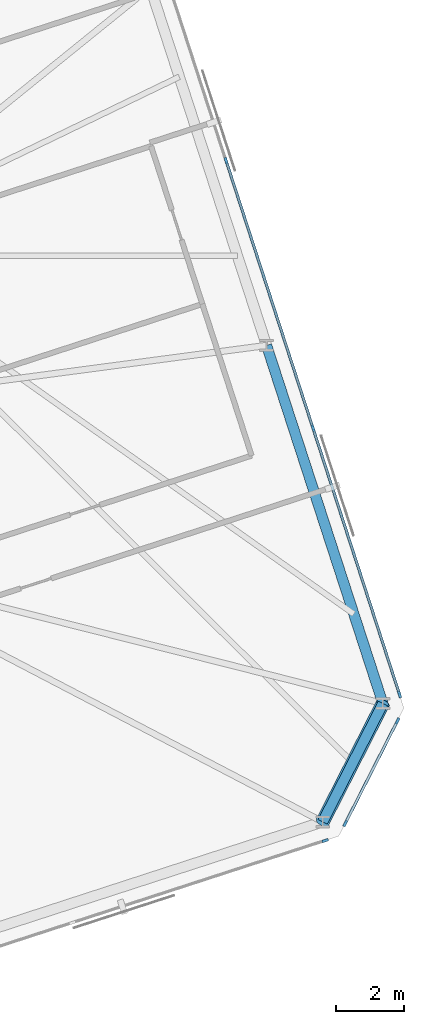
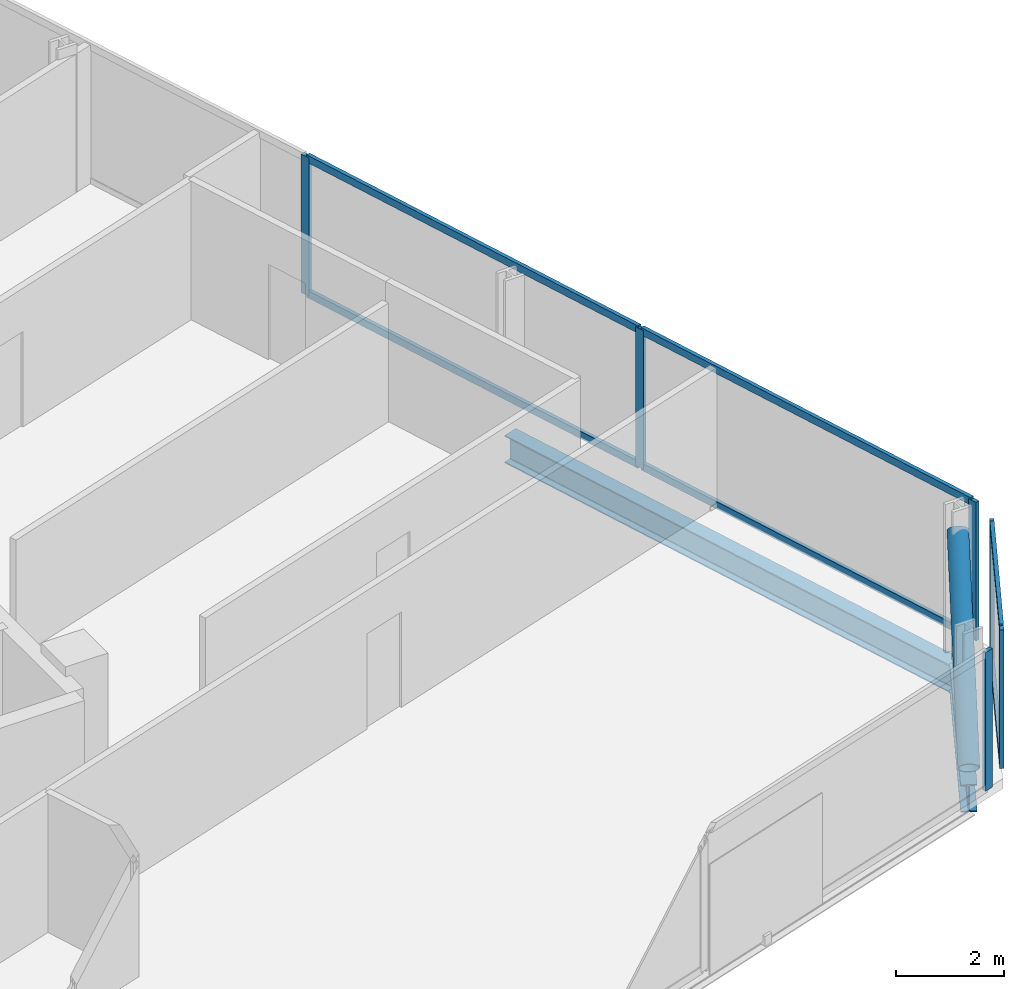
# One storey, part 11 of 20: 13 members, 2 beams, 3 elements without a shape of their own.
"""IFC4 building model written with IfcOpenShell, lengths in metres."""

import ifcopenshell
import ifcopenshell.guid

model = None  # the IFC model being written
_history = None  # IfcOwnerHistory: only IFC2X3 demands one
_inside = {}  # id of a spatial element -> (the spatial element, [elements in it])
_under = {}  # id of a project, library or spatial element -> (it, [spatial elements below it])
_declared = {}  # id of a project -> (the project, [libraries it declares])
_typed = {}  # id of a type object -> (the type object, [elements of that type])
_made_of = {}  # id of a material, layer set ... -> (it, [elements and type objects made of it])


def new_model(schema):
    """Start an empty IFC model of exactly this schema.

    Asked for "IFC4X3", IfcOpenShell would pick the latest addendum, in which some entities
    have other attributes; the version numbers below select the first issue.
    IFC2X3 requires an IfcOwnerHistory on every rooted entity: one is made here for all.
    """
    global model, _history
    if schema == "IFC4X3":
        model = ifcopenshell.file(schema_version=(4, 3, 0, 0))
    else:
        model = ifcopenshell.file(schema=schema)
    _inside.clear()
    _under.clear()
    _declared.clear()
    _typed.clear()
    _made_of.clear()
    _history = None
    if model.schema == "IFC2X3":
        org = make("IfcOrganization", Name="unknown")
        user = make(
            "IfcPersonAndOrganization",
            ThePerson=make("IfcPerson", FamilyName="unknown"),
            TheOrganization=org,
        )
        app = make(
            "IfcApplication",
            ApplicationDeveloper=org,
            Version="unknown",
            ApplicationFullName="unknown",
            ApplicationIdentifier="unknown",
        )
        _history = make(
            "IfcOwnerHistory",
            OwningUser=user,
            OwningApplication=app,
            ChangeAction="ADDED",
            CreationDate=0,
        )
    return model


def make(cls, **values):
    """One entity of the class cls with the attributes given. An attribute that is None is left unset."""
    return model.create_entity(
        cls, **{name: value for name, value in values.items() if value is not None}
    )


def rooted(cls, **values):
    """An entity with a GlobalId (a new one), such as an element, a storey or a relation."""
    return make(cls, GlobalId=ifcopenshell.guid.new(), OwnerHistory=_history, **values)


def si_unit(unit_type, name, prefix=None):
    """IfcSIUnit, for example si_unit("LENGTHUNIT", "METRE", prefix="MILLI")."""
    return make("IfcSIUnit", UnitType=unit_type, Prefix=prefix, Name=name)


def assignment(units):
    """IfcUnitAssignment: the units of a project."""
    return None if units is None else make("IfcUnitAssignment", Units=units)


def point(xyz):
    """IfcCartesianPoint."""
    return None if xyz is None else make("IfcCartesianPoint", Coordinates=xyz)


def direction(xyz):
    """IfcDirection."""
    return None if xyz is None else make("IfcDirection", DirectionRatios=xyz)


def frame(location, z_axis=None, x_axis=None):
    """IfcAxis2Placement3D, a coordinate frame: its origin and axes. An axis left out is left unset."""
    return make(
        "IfcAxis2Placement3D",
        Location=point(location),
        Axis=direction(z_axis),
        RefDirection=direction(x_axis),
    )


def frame_2d(location, x_axis=None):
    """IfcAxis2Placement2D, a coordinate frame in the plane: its origin and x axis."""
    return make(
        "IfcAxis2Placement2D", Location=point(location), RefDirection=direction(x_axis)
    )


def origin():
    """The frame at (0, 0, 0) with its axes left unset."""
    return frame((0.0, 0.0, 0.0))


def origin_2d():
    """The frame at (0, 0) in the plane with its x axis left unset."""
    return frame_2d((0.0, 0.0))


def place(relative_to, where):
    """IfcLocalPlacement: puts the frame where relative to a parent placement (None: the world)."""
    return make(
        "IfcLocalPlacement", PlacementRelTo=relative_to, RelativePlacement=where
    )


def context(
    kind, dimensions, precision=None, world=None, true_north=None, identifier=None
):
    """IfcGeometricRepresentationContext, for example the 3D "Model" context."""
    return make(
        "IfcGeometricRepresentationContext",
        ContextIdentifier=identifier,
        ContextType=kind,
        CoordinateSpaceDimension=dimensions,
        Precision=precision,
        WorldCoordinateSystem=world,
        TrueNorth=true_north,
    )


def subcontext(parent, identifier, kind, view, scale=None):
    """IfcGeometricRepresentationSubContext, for example "Body" below "Model"."""
    return make(
        "IfcGeometricRepresentationSubContext",
        ContextIdentifier=identifier,
        ContextType=kind,
        ParentContext=parent,
        TargetScale=scale,
        TargetView=view,
    )


def project(units=None, contexts=None):
    """IfcProject with its units and contexts."""
    return rooted(
        "IfcProject",
        Name="project",
        RepresentationContexts=contexts,
        UnitsInContext=assignment(units),
    )


def spatial(cls, under=None, at=None, **own):
    """A site, building, storey or space (cls), placed at a placement, below another one or the project."""
    s = rooted(cls, ObjectPlacement=at, **own)
    if under is not None:
        _under.setdefault(under.id(), (under, []))[1].append(s)
    return s


def profile(cls, at=None, kind="AREA", **sizes):
    """A parametric profile (cls). Its sizes go by their IFC names, for example OverallWidth=200.0."""
    return make(cls, ProfileType=kind, Position=at, **sizes)


def rectangle(**sizes):
    """IfcRectangleProfileDef."""
    return profile("IfcRectangleProfileDef", **sizes)


def hollow_circle(**sizes):
    """IfcCircleHollowProfileDef."""
    return profile("IfcCircleHollowProfileDef", **sizes)


def i_section(**sizes):
    """IfcIShapeProfileDef."""
    return profile("IfcIShapeProfileDef", **sizes)


def extrude(swept, where, along, depth):
    """IfcExtrudedAreaSolid: the profile swept, set in the frame where, extruded along a direction by depth."""
    return make(
        "IfcExtrudedAreaSolid",
        SweptArea=swept,
        Position=where,
        ExtrudedDirection=direction(along),
        Depth=depth,
    )


def shape(context_of_items, identifier, shape_type, items):
    """IfcShapeRepresentation: the items that make up one representation, for example the "Body"."""
    return make(
        "IfcShapeRepresentation",
        ContextOfItems=context_of_items,
        RepresentationIdentifier=identifier,
        RepresentationType=shape_type,
        Items=items,
    )


def material(Name=None, Category=None):
    """IfcMaterial."""
    return make("IfcMaterial", Name=Name, Category=Category)


def material_profile(
    of_material, cross_section, Name=None, Category=None, Priority=None
):
    """IfcMaterialProfile: a cross section and its material."""
    return make(
        "IfcMaterialProfile",
        Name=Name,
        Material=of_material,
        Profile=cross_section,
        Priority=Priority,
        Category=Category,
    )


def profile_set(profiles, Name=None, composite=None):
    """IfcMaterialProfileSet."""
    return make(
        "IfcMaterialProfileSet",
        Name=Name,
        MaterialProfiles=profiles,
        CompositeProfile=composite,
    )


def made_of(thing, what):
    """Note that an element or type object is made of a material, layer set ...; save() writes the relation."""
    if what is not None:
        _made_of.setdefault(what.id(), (what, []))[1].append(thing)
    return thing


def type_object(cls, material=None, **own):
    """A type object (cls), such as IfcWallType, which elements share."""
    return made_of(rooted(cls, **own), material)


def element(
    cls,
    number,
    at=None,
    inside=None,
    cuts=None,
    type_object=None,
    material=None,
    context=None,
    identifier="Body",
    shape_type=None,
    held_by="IfcProductDefinitionShape",
    body=None,
    shapes=None,
    **own,
):
    """One element of the class cls, such as IfcWall. Its Tag is "e" and its number.

    at: its placement. inside: the storey or other place that contains it. cuts: it is an
    opening in that element (IfcRelVoidsElement). A single representation is given by context,
    identifier, shape_type and body (its items); several are given by shapes. held_by: the class
    of the entity that holds the representations. save() writes the other relations.
    """
    e = rooted(cls, Tag="e%d" % number, ObjectPlacement=at, **own)
    if body is not None:
        shapes = [shape(context, identifier, shape_type, body)]
    if shapes is not None:
        e.Representation = make(held_by, Representations=shapes)
    if inside is not None:
        _inside.setdefault(inside.id(), (inside, []))[1].append(e)
    if cuts is not None:
        rooted(
            "IfcRelVoidsElement", RelatingBuildingElement=cuts, RelatedOpeningElement=e
        )
    if type_object is not None:
        _typed.setdefault(type_object.id(), (type_object, []))[1].append(e)
    return made_of(e, material)


def aggregate(whole, parts):
    """IfcRelAggregates: a whole, such as a stair, and the parts it consists of."""
    return rooted("IfcRelAggregates", RelatingObject=whole, RelatedObjects=parts)


def save(model, path):
    """Write the relations noted so far, then the file.

    IfcRelAggregates (storeys below a building ...), IfcRelContainedInSpatialStructure (elements
    in a storey), IfcRelDefinesByType, IfcRelAssociatesMaterial and IfcRelDeclares: one each for
    every whole, place, type object, material and project.
    """
    for whole, parts in _under.values():
        aggregate(whole, parts)
    for where, things in _inside.values():
        rooted(
            "IfcRelContainedInSpatialStructure",
            RelatedElements=things,
            RelatingStructure=where,
        )
    for kind, things in _typed.values():
        rooted("IfcRelDefinesByType", RelatedObjects=things, RelatingType=kind)
    for what, things in _made_of.values():
        rooted("IfcRelAssociatesMaterial", RelatedObjects=things, RelatingMaterial=what)
    for by, libraries in _declared.values():
        rooted("IfcRelDeclares", RelatingContext=by, RelatedDefinitions=libraries)
    model.write(path)


model = new_model("IFC4")

# Units and contexts
model_context = context("Model", 3, precision=1e-05, world=origin(), true_north=direction((0.0, 1.0)))
body_context = subcontext(model_context, "Body", "Model", "MODEL_VIEW")
ifc_project = project(units=[si_unit("LENGTHUNIT", "METRE"), si_unit("AREAUNIT", "SQUARE_METRE"), si_unit("VOLUMEUNIT", "CUBIC_METRE"), si_unit("PLANEANGLEUNIT", "RADIAN"), si_unit("MASSUNIT", "GRAM", prefix="KILO")], contexts=[model_context])

# Site, building, storey
site_placement = place(None, origin())
site = spatial("IfcSite", under=ifc_project, at=site_placement, CompositionType="ELEMENT")
building_placement = place(site_placement, origin())
building = spatial("IfcBuilding", under=site, at=building_placement, Name="Menara Jurai Vektor", CompositionType="ELEMENT")
storey_placement = place(building_placement, frame((0.0, 0.0, 224.300048828125)))
storey = spatial("IfcBuildingStorey", under=building, at=storey_placement, Name="L59", CompositionType="ELEMENT", Elevation=224.300048828125)

# Curtain wall, member
ifc_material_1 = material(Name="Anodised Pale Aluminium & Low-E Double Glazing", Category="aluminium")
curtain_wall_type = type_object("IfcCurtainWallType", Name="CW-BLK4", PredefinedType="NOTDEFINED", material=ifc_material_1)
curtain_wall_1_placement = place(storey_placement, origin())
curtain_wall_1 = element("IfcCurtainWall", 1, at=curtain_wall_1_placement, inside=storey, type_object=curtain_wall_type, Name="Unitised Curtain Wall L59 F01", PredefinedType="NOTDEFINED")
ifc_material_2 = material(Name="Anodised Pale Aluminium Mullion", Category="aluminium")
ifc_material_profile_1 = material_profile(ifc_material_2, rectangle(XDim=0.080078125, YDim=0.18994140625, at=origin_2d()), Name="ALU MUL 80x190")
ifc_profile_set_1 = profile_set([ifc_material_profile_1], Name="Anodised Pale Aluminium Mullion")
member_type_1 = type_object("IfcMemberType", Name="CW-BLK4-MUL", PredefinedType="MULLION", material=ifc_profile_set_1)
member_1_placement = place(storey_placement, frame((29.810546875, -12.698486328125, 0.0), z_axis=(0.0, 0.0, 1.0), x_axis=(-0.309017344167, 0.951056402641, 0.0)))
member_1 = element("IfcMember", 2, at=member_1_placement, type_object=member_type_1, Name="CW-04 mullion 8", PredefinedType="MULLION", context=body_context, shape_type="SweptSolid", body=[
    extrude(rectangle(XDim=0.080078125, YDim=0.18994140625, at=origin_2d()), origin(), (0.0, 0.0, 1.0), 3.125),
])
aggregate(curtain_wall_1, [member_1])

# Curtain wall, members
curtain_wall_2_placement = place(storey_placement, origin())
curtain_wall_2 = element("IfcCurtainWall", 3, at=curtain_wall_2_placement, inside=storey, type_object=curtain_wall_type, Name="Unitised Curtain Wall L59 F02", PredefinedType="NOTDEFINED")
member_2_placement = place(storey_placement, frame((30.400634765625, -12.194580078125, 0.0), z_axis=(0.0, 0.0, 1.0), x_axis=(-0.89100750243, 0.453988579828, 0.0)))
member_2 = element("IfcMember", 4, at=member_2_placement, type_object=member_type_1, Name="CW-04 mullion 1", PredefinedType="MULLION", context=body_context, shape_type="SweptSolid", body=[
    extrude(rectangle(XDim=0.080078125, YDim=0.18994140625, at=origin_2d()), origin(), (0.0, 0.0, 1.0), 3.125),
])
member_3_placement = place(storey_placement, frame((31.9453125, -9.16259765625, 0.0), z_axis=(0.0, 0.0, 1.0), x_axis=(-0.89100750243, 0.453988579828, 0.0)))
member_3 = element("IfcMember", 5, at=member_3_placement, type_object=member_type_1, Name="CW-04 mullion 2", PredefinedType="MULLION", context=body_context, shape_type="SweptSolid", body=[
    extrude(rectangle(XDim=0.080078125, YDim=0.18994140625, at=origin_2d()), origin(), (0.0, 0.0, 1.0), 3.125),
])

curtain_wall_3_placement = place(storey_placement, origin())
curtain_wall_3 = element("IfcCurtainWall", 6, at=curtain_wall_3_placement, inside=storey, type_object=curtain_wall_type, Name="Unitised Curtain Wall L59 F03", PredefinedType="NOTDEFINED")
member_4_placement = place(storey_placement, frame((32.00634765625, -8.388916015625, 0.0), z_axis=(0.0, 0.0, 1.0), x_axis=(-0.95105668295, -0.309016481464, 0.0)))
member_4 = element("IfcMember", 7, at=member_4_placement, type_object=member_type_1, Name="CW-04 mullion 1", PredefinedType="MULLION", context=body_context, shape_type="SweptSolid", body=[
    extrude(rectangle(XDim=0.080078125, YDim=0.18994140625, at=origin_2d()), origin(), (0.0, 0.0, 1.0), 3.125),
])
member_5_placement = place(storey_placement, frame((29.45068359375, -0.523681640625, 0.0), z_axis=(0.0, 0.0, 1.0), x_axis=(-0.95105668295, -0.309016481464, 0.0)))
member_5 = element("IfcMember", 8, at=member_5_placement, type_object=member_type_1, Name="CW-04 mullion 2", PredefinedType="MULLION", context=body_context, shape_type="SweptSolid", body=[
    extrude(rectangle(XDim=0.080078125, YDim=0.18994140625, at=origin_2d()), origin(), (0.0, 0.0, 1.0), 3.125),
])
member_6_placement = place(storey_placement, frame((26.8828125, 7.379638671875, 0.0), z_axis=(0.0, 0.0, 1.0), x_axis=(-0.95105668295, -0.309016481464, 0.0)))
member_6 = element("IfcMember", 9, at=member_6_placement, type_object=member_type_1, Name="CW-04 mullion 3", PredefinedType="MULLION", context=body_context, shape_type="SweptSolid", body=[
    extrude(rectangle(XDim=0.080078125, YDim=0.18994140625, at=origin_2d()), origin(), (0.0, 0.0, 1.0), 3.125),
])

# Member
ifc_material_3 = material(Name="Anodised Pale Aluminium Transom", Category="aluminium")
ifc_material_profile_2 = material_profile(ifc_material_3, rectangle(XDim=0.080078125, YDim=0.1650390625, at=origin_2d()), Name="ALU TRN 80x165")
ifc_profile_set_2 = profile_set([ifc_material_profile_2], Name="Anodised Pale Aluminium Transom")
member_type_2 = type_object("IfcMemberType", Name="CW-BLK4-TRN", PredefinedType="USERDEFINED", material=ifc_profile_set_2)
member_7_placement = place(storey_placement, frame((30.418701171875, -12.158935546875, 0.0400390625), z_axis=(0.453989617444, 0.89100697374, 0.0), x_axis=(-0.89100697374, 0.453989617444, 0.0)))
member_7 = element("IfcMember", 10, at=member_7_placement, type_object=member_type_2, Name="CW-04 transom 1.1", ObjectType="TRANSOM", PredefinedType="USERDEFINED", context=body_context, shape_type="SweptSolid", body=[
    extrude(rectangle(XDim=0.080078125, YDim=0.1650390625, at=origin_2d()), origin(), (0.0, 0.0, 1.0), 3.32275390625),
])

member_8_placement = place(storey_placement, frame((30.418701171875, -12.158935546875, 3.0849609375), z_axis=(0.453989617444, 0.89100697374, 0.0), x_axis=(-0.89100697374, 0.453989617444, 0.0)))
member_8 = element("IfcMember", 11, at=member_8_placement, type_object=member_type_2, Name="CW-04 transom 1.2", ObjectType="TRANSOM", PredefinedType="USERDEFINED", context=body_context, shape_type="SweptSolid", body=[
    extrude(rectangle(XDim=0.080078125, YDim=0.1650390625, at=origin_2d()), origin(), (0.0, 0.0, 1.0), 3.32275390625),
])

aggregate(curtain_wall_2, [member_2, member_3, member_7, member_8])

member_9_placement = place(storey_placement, frame((31.993896484375, -8.350830078125, 0.0400390625), z_axis=(-0.309010577384, 0.951058601278, 0.0), x_axis=(-0.951058601278, -0.309010577384, 0.0)))
member_9 = element("IfcMember", 12, at=member_9_placement, type_object=member_type_2, Name="CW-04 transom 1.1", ObjectType="TRANSOM", PredefinedType="USERDEFINED", context=body_context, shape_type="SweptSolid", body=[
    extrude(rectangle(XDim=0.080078125, YDim=0.1650390625, at=origin_2d()), origin(), (0.0, 0.0, 1.0), 8.18994140625),
])

member_10_placement = place(storey_placement, frame((31.993896484375, -8.350830078125, 3.0849609375), z_axis=(-0.309010577384, 0.951058601278, 0.0), x_axis=(-0.951058601278, -0.309010577384, 0.0)))
member_10 = element("IfcMember", 13, at=member_10_placement, type_object=member_type_2, Name="CW-04 transom 1.2", ObjectType="TRANSOM", PredefinedType="USERDEFINED", context=body_context, shape_type="SweptSolid", body=[
    extrude(rectangle(XDim=0.080078125, YDim=0.1650390625, at=origin_2d()), origin(), (0.0, 0.0, 1.0), 8.18994140625),
])

member_11_placement = place(storey_placement, frame((29.438232421875, -0.485595703125, 0.0400390625), z_axis=(-0.309018994408, 0.951055866443, 0.0), x_axis=(-0.951055866443, -0.309018994408, 0.0)))
member_11 = element("IfcMember", 14, at=member_11_placement, type_object=member_type_2, Name="CW-04 transom 2.1", ObjectType="TRANSOM", PredefinedType="USERDEFINED", context=body_context, shape_type="SweptSolid", body=[
    extrude(rectangle(XDim=0.080078125, YDim=0.1650390625, at=origin_2d()), origin(), (0.0, 0.0, 1.0), 8.22998046875),
])

member_12_placement = place(storey_placement, frame((29.438232421875, -0.485595703125, 3.0849609375), z_axis=(-0.309018994408, 0.951055866443, 0.0), x_axis=(-0.951055866443, -0.309018994408, 0.0)))
member_12 = element("IfcMember", 15, at=member_12_placement, type_object=member_type_2, Name="CW-04 transom 2.2", ObjectType="TRANSOM", PredefinedType="USERDEFINED", context=body_context, shape_type="SweptSolid", body=[
    extrude(rectangle(XDim=0.080078125, YDim=0.1650390625, at=origin_2d()), origin(), (0.0, 0.0, 1.0), 8.22998046875),
])

aggregate(curtain_wall_3, [member_4, member_5, member_6, member_9, member_10, member_11, member_12])

ifc_material_4 = material(Name="Steel S460", Category="steel")
ifc_material_profile_3 = material_profile(ifc_material_4, hollow_circle(Radius=0.203125, WallThickness=0.01611328125, at=origin_2d()), Name="CHS 406.4x16")
ifc_profile_set_3 = profile_set([ifc_material_profile_3], Name="Steel S460")
member_type_3 = type_object("IfcMemberType", Name="STR-BR-406", PredefinedType="BRACE", material=ifc_profile_set_3)
member_13_placement = place(storey_placement, frame((29.733642578125, -12.14501953125, 0.14990234375), z_axis=(0.377239531316, 0.740351985533, 0.55638949804), x_axis=(-0.891000997215, 0.454001346872, 0.0)))
element("IfcMember", 16, at=member_13_placement, inside=storey, type_object=member_type_3, Name="Exoskeleton Corner Brace L59-1", PredefinedType="BRACE", context=body_context, shape_type="SweptSolid", body=[
    extrude(hollow_circle(Radius=0.203125, WallThickness=0.01611328125, at=origin_2d()), origin(), (0.0, 0.0, 1.0), 4.718017578125),
])

# Beams
ifc_material_5 = material(Name="Steel S355", Category="steel")
ifc_material_profile_4 = material_profile(ifc_material_5, i_section(OverallWidth=0.306884765625, OverallDepth=0.6201171875, WebThickness=0.013916015625, FlangeThickness=0.02392578125, FilletRadius=0.01708984375, at=origin_2d()), Name="UKB 610x305x179")
ifc_profile_set_4 = profile_set([ifc_material_profile_4], Name="Steel S355")
beam_type = type_object("IfcBeamType", Name="STR-SP-610", PredefinedType="SPANDREL", material=ifc_profile_set_4)
beam_1_placement = place(storey_placement, frame((29.7333984375, -12.14501953125, -0.53515625), z_axis=(0.454050785633, 0.890975804423, 0.0), x_axis=(-0.890975804423, 0.454050785633, 0.0)))
element("IfcBeam", 17, at=beam_1_placement, inside=storey, type_object=beam_type, Name="Exoskeleton Spandrel Beam L59-06", PredefinedType="SPANDREL", context=body_context, shape_type="SweptSolid", body=[
    extrude(i_section(OverallWidth=0.306884765625, OverallDepth=0.6201171875, WebThickness=0.013916015625, FlangeThickness=0.02392578125, FilletRadius=0.01708984375, at=origin_2d()), origin(), (0.0, 0.0, 1.0), 3.92041015625),
])
beam_2_placement = place(storey_placement, frame((31.513427734375, -8.652099609375, -0.53515625), z_axis=(-0.309012092614, 0.95105810896, 0.0), x_axis=(-0.95105810896, -0.309012092614, 0.0)))
element("IfcBeam", 18, at=beam_2_placement, inside=storey, type_object=beam_type, Name="Exoskeleton Spandrel Beam L59-07", PredefinedType="SPANDREL", context=body_context, shape_type="SweptSolid", body=[
    extrude(i_section(OverallWidth=0.306884765625, OverallDepth=0.6201171875, WebThickness=0.013916015625, FlangeThickness=0.02392578125, FilletRadius=0.01708984375, at=origin_2d()), origin(), (0.0, 0.0, 1.0), 11.11865234375),
])

save(model, "model.ifc")
